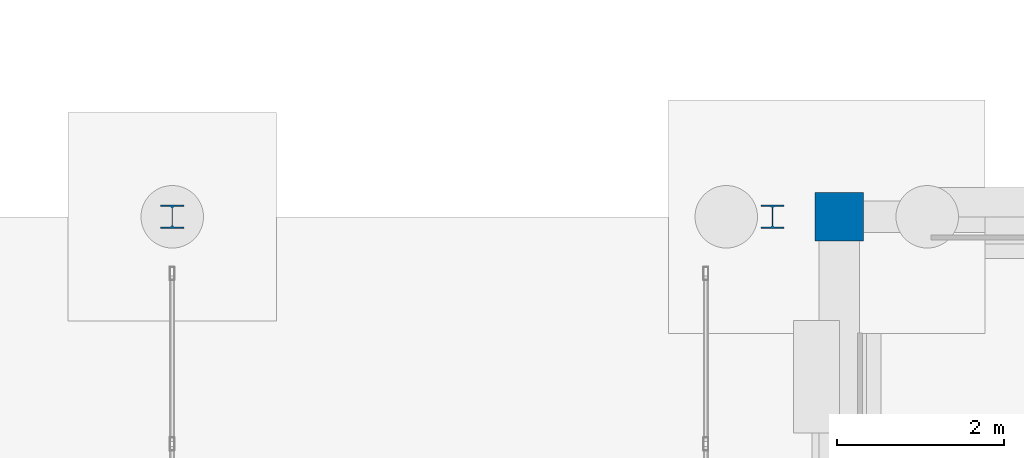
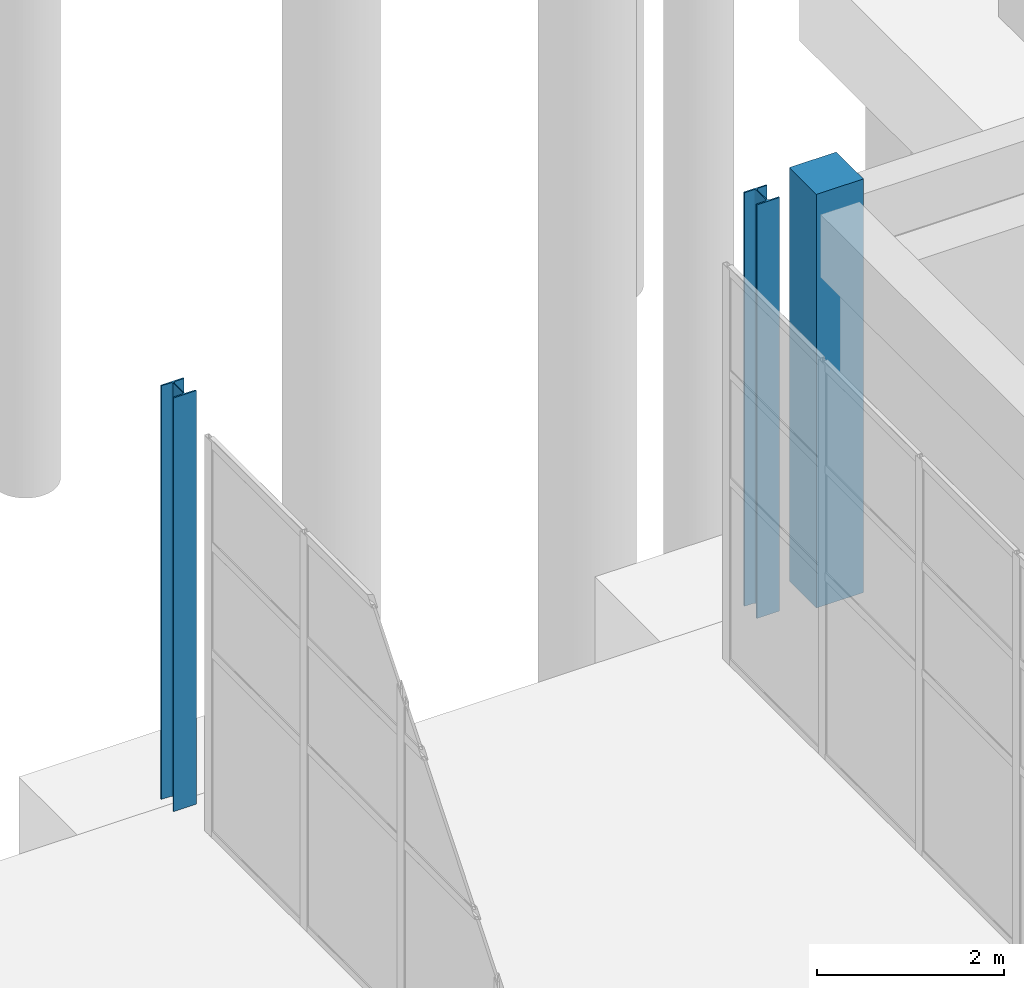
# One storey, part 10 of 91: 3 columns.
"""IFC4 building model written with IfcOpenShell, lengths in metres."""

from ifc_helpers import new_model, si_unit, direction, frame, origin, origin_2d, place, context, subcontext, project, spatial, rectangle, i_section, extrude, material, material_profile, profile_set, type_object, element, save


model = new_model("IFC4")

# Units and contexts
model_context = context("Model", 3, precision=1e-05, world=origin(), true_north=direction((0.0, 1.0)))
body_context = subcontext(model_context, "Body", "Model", "MODEL_VIEW")
ifc_project = project(units=[si_unit("LENGTHUNIT", "METRE"), si_unit("AREAUNIT", "SQUARE_METRE"), si_unit("VOLUMEUNIT", "CUBIC_METRE"), si_unit("PLANEANGLEUNIT", "RADIAN"), si_unit("MASSUNIT", "GRAM", prefix="KILO")], contexts=[model_context])

# Site, building, storey
site_placement = place(None, origin())
site = spatial("IfcSite", under=ifc_project, at=site_placement, CompositionType="ELEMENT")
building_placement = place(site_placement, origin())
building = spatial("IfcBuilding", under=site, at=building_placement, Name="Bramveld Media Centre", CompositionType="ELEMENT")
storey_placement = place(building_placement, origin())
storey = spatial("IfcBuildingStorey", under=building, at=storey_placement, Name="L00", CompositionType="ELEMENT", Elevation=0.0)

# Columns
ifc_material_1 = material(Name="Concrete C40/50", Category="concrete")
ifc_material_profile_1 = material_profile(ifc_material_1, rectangle(XDim=0.580078125, YDim=0.580078125, at=origin_2d()), Name="RC 580x580")
ifc_profile_set_1 = profile_set([ifc_material_profile_1], Name="Concrete C40/50")
column_type_1 = type_object("IfcColumnType", Name="COL-EXT-RC-580x580", PredefinedType="COLUMN", material=ifc_profile_set_1)
column_placement = place(storey_placement, frame((124.0, 38.39990234375, 0.0), z_axis=(0.0, 0.0, 1.0), x_axis=(1.0, 0.0, 0.0)))
element("IfcColumn", 1, at=column_placement, inside=storey, type_object=column_type_1, Name="V1 L00 column RC 580x580", PredefinedType="COLUMN", context=body_context, shape_type="SweptSolid", body=[
    extrude(rectangle(XDim=0.580078125, YDim=0.580078125, at=origin_2d()), origin(), (0.0, 0.0, 1.0), 5.39990234375),
])
ifc_material_2 = material(Name="Steel S355J2", Category="steel")
ifc_material_profile_2 = material_profile(ifc_material_2, i_section(OverallWidth=0.280029296875, OverallDepth=0.280029296875, WebThickness=0.010498046875, FlangeThickness=0.01806640625, FilletRadius=0.02392578125, at=origin_2d()), Name="HEB 280")
ifc_profile_set_2 = profile_set([ifc_material_profile_2], Name="Steel S355J2")
column_type_2 = type_object("IfcColumnType", Name="SCOL-EXT-HEB-280", PredefinedType="COLUMN", material=ifc_profile_set_2)
for number, where, z_axis, x_axis, name in (
    (2, (116.0, 38.39990234375, 0.0), (0.0, 0.0, 1.0), (1.0, 0.0, 0.0), "Portal colonnade column 4"),
    (3, (123.199951171875, 38.39990234375, 0.0), (0.0, 0.0, 1.0), (1.0, 0.0, 0.0), "Portal colonnade column 8"),
):
    element("IfcColumn", number, at=place(storey_placement, frame(where, z_axis=z_axis, x_axis=x_axis)), inside=storey, type_object=column_type_2, Name=name, PredefinedType="COLUMN", context=body_context, shape_type="SweptSolid", body=[
        extrude(i_section(OverallWidth=0.280029296875, OverallDepth=0.280029296875, WebThickness=0.010498046875, FlangeThickness=0.01806640625, FilletRadius=0.02392578125, at=origin_2d()), origin(), (0.0, 0.0, 1.0), 5.39990234375),
    ])

save(model, "model.ifc")
